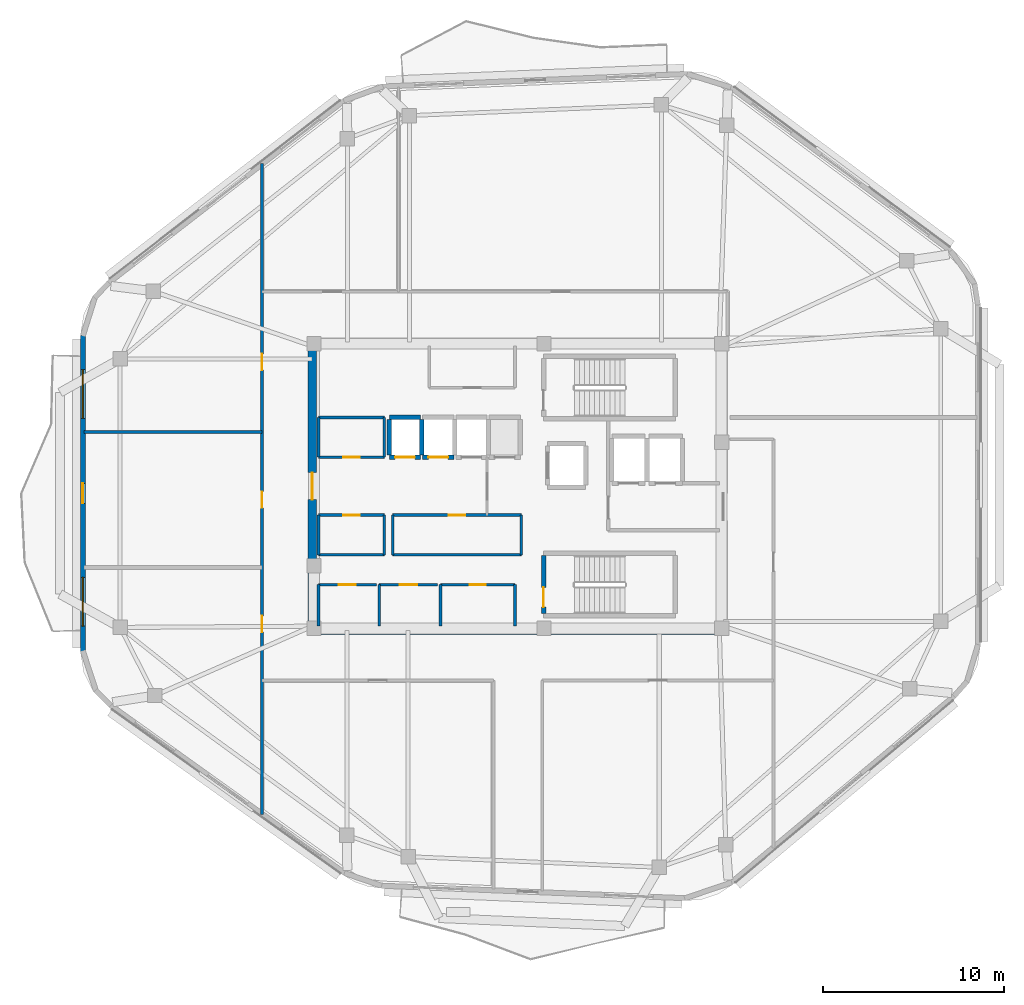
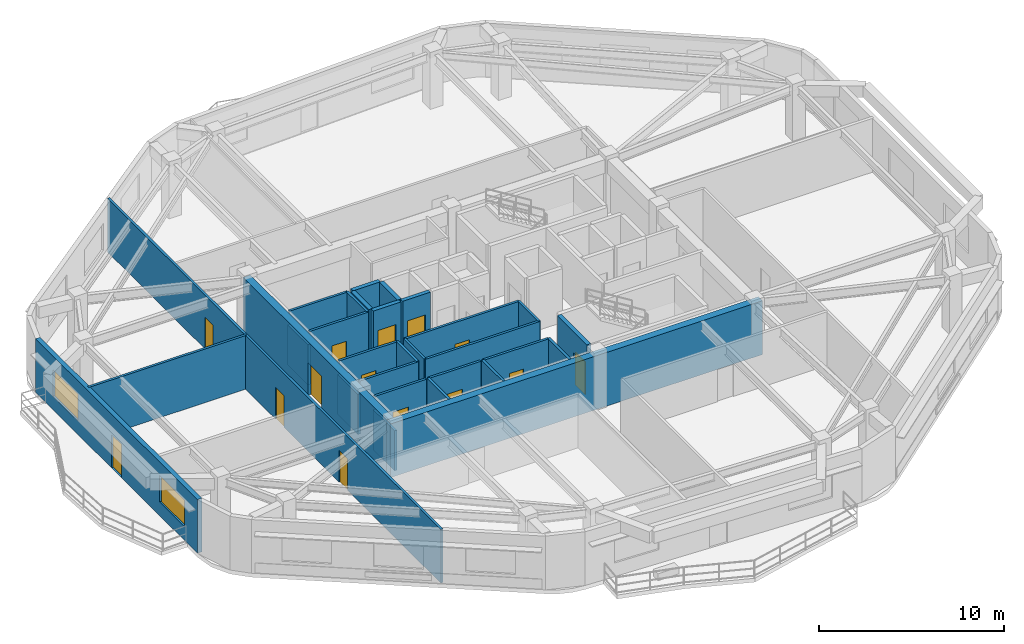
# One storey, part 3 of 10: 30 walls, 14 doors, 2 windows, 16 openings.
"""IFC4 building model written with IfcOpenShell, lengths in metres."""

from ifc_helpers import new_model, si_unit, direction, frame, frame_2d, origin, place, context, subcontext, project, spatial, rectangle, extrude, material, layer, layer_set, type_object, element, fill, save


model = new_model("IFC4")

# Units and contexts
model_context = context("Model", 3, precision=1e-05, world=origin(), true_north=direction((0.0, 1.0)))
body_context = subcontext(model_context, "Body", "Model", "MODEL_VIEW")
ifc_project = project(units=[si_unit("LENGTHUNIT", "METRE"), si_unit("AREAUNIT", "SQUARE_METRE"), si_unit("VOLUMEUNIT", "CUBIC_METRE"), si_unit("PLANEANGLEUNIT", "RADIAN"), si_unit("MASSUNIT", "GRAM", prefix="KILO")], contexts=[model_context])

# Site, building, storey
site_placement = place(None, origin())
site = spatial("IfcSite", under=ifc_project, at=site_placement, CompositionType="ELEMENT")
building_placement = place(site_placement, origin())
building = spatial("IfcBuilding", under=site, at=building_placement, Name="Zulverin Broadcast Headquarters", CompositionType="ELEMENT")
storey_placement = place(building_placement, frame((0.0, 0.0, 282.0)))
storey = spatial("IfcBuildingStorey", under=building, at=storey_placement, Name="L72", CompositionType="ELEMENT", Elevation=282.0)

# Wall
ifc_material_1 = material(Name="Concrete C50/60", Category="concrete")
ifc_layer_1 = layer(ifc_material_1, 0.449951171875, Name="Concrete C50/60", Category="concrete")
ifc_layer_set_1 = layer_set([ifc_layer_1], Name="Concrete C50/60")
wall_type_1 = type_object("IfcWallType", Name="WL-CORE-450", PredefinedType="SHEAR", material=ifc_layer_set_1)
wall_1_placement = place(storey_placement, frame((25.39990234375, 17.22509765625, 0.0), z_axis=(0.0, 0.0, 1.0), x_axis=(1.0, 0.0, 0.0)))
element("IfcWall", 1, at=wall_1_placement, inside=storey, type_object=wall_type_1, Name="L72 Core South Shear Wall", PredefinedType="SHEAR", context=body_context, shape_type="SweptSolid", body=[
    extrude(rectangle(XDim=23.2001953125, YDim=0.449951171875, at=frame_2d((11.60009765625, 0.0))), origin(), (0.0, 0.0, 1.0), 3.5400390625),
])

# Wall, opening, door
wall_2_placement = place(storey_placement, frame((25.625, 17.449951171875, 0.0), z_axis=(0.0, 0.0, 1.0), x_axis=(0.0, 1.0, 0.0)))
wall_2 = element("IfcWall", 2, at=wall_2_placement, inside=storey, type_object=wall_type_1, Name="L72 Core West Shear Wall", PredefinedType="SHEAR", context=body_context, shape_type="SweptSolid", body=[
    extrude(rectangle(XDim=15.5, YDim=0.449951171875, at=frame_2d((7.75, 0.0))), origin(), (0.0, 0.0, 1.0), 3.5400390625),
])
opening_1_placement = place(wall_2_placement, frame((7.0, 0.0, 0.0)))
opening_1 = element("IfcOpeningElement", 3, at=opening_1_placement, cuts=wall_2, Name="Opening D-L72-CW1", PredefinedType="OPENING", context=body_context, shape_type="SweptSolid", body=[
    extrude(rectangle(XDim=1.5, YDim=2.14990234375, at=frame_2d((0.75, 1.074951171875))), frame((0.0, 0.23486328125, 0.0), z_axis=(0.0, -1.0, 0.0), x_axis=(1.0, 0.0, 0.0)), (0.0, 0.0, 1.0), 0.469970703125),
])
ifc_material_2 = material(Name="Fire-rated glazed steel frame", Category="steel")
door_type_1 = type_object("IfcDoorType", Name="DR-COR-1500", OperationType="DOUBLE_DOOR_SINGLE_SWING", PredefinedType="DOOR", material=ifc_material_2)
door_1_placement = place(opening_1_placement, origin())
door_1 = element("IfcDoor", 4, at=door_1_placement, inside=storey, type_object=door_type_1, Name="L72 Central Lift Lobby West Portal Door", OperationType="DOUBLE_DOOR_SINGLE_SWING", OverallHeight=2.14990234375, OverallWidth=1.5, PredefinedType="DOOR", context=body_context, shape_type="SweptSolid", body=[
    extrude(rectangle(XDim=1.5, YDim=2.14990234375, at=frame_2d((0.75, 1.074951171875))), frame((0.0, 0.02490234375, 0.0), z_axis=(0.0, -1.0, 0.0), x_axis=(1.0, 0.0, 0.0)), (0.0, 0.0, 1.0), 0.050048828125),
])
fill(opening_1, door_1)

# Wall, openings, door, windows
ifc_material_3 = material(Name="Insulated pale-metal clad concrete spandrel C40/50", Category="concrete")
ifc_layer_2 = layer(ifc_material_3, 0.280029296875, Name="Insulated pale-metal clad concrete spandrel C40/50", Category="concrete")
ifc_layer_set_2 = layer_set([ifc_layer_2], Name="Insulated pale-metal clad concrete spandrel C40/50")
wall_type_2 = type_object("IfcWallType", Name="WL-EXT-280", PredefinedType="STANDARD", material=ifc_layer_set_2)
wall_3_placement = place(storey_placement, frame((12.93994140625, 33.548095703125, 0.0), z_axis=(0.0, 0.0, 1.0), x_axis=(0.0, -1.0, 0.0)))
wall_3 = element("IfcWall", 5, at=wall_3_placement, inside=storey, type_object=wall_type_2, Name="L72 Pale-Metal Clad Spandrel Wall 7", PredefinedType="STANDARD", context=body_context, shape_type="SweptSolid", body=[
    extrude(rectangle(XDim=17.496337890625, YDim=0.280029296875, at=frame_2d((8.748046875, 0.0))), origin(), (0.0, 0.0, 1.0), 3.5400390625),
])
opening_2_placement = place(wall_3_placement, frame((8.1982421875, 0.0, 0.0)))
opening_2 = element("IfcOpeningElement", 6, at=opening_2_placement, cuts=wall_3, Name="Opening D-L72-TR7", PredefinedType="OPENING", context=body_context, shape_type="SweptSolid", body=[
    extrude(rectangle(XDim=1.10009765625, YDim=2.199951171875, at=frame_2d((0.550048828125, 1.10009765625))), frame((0.0, 0.14990234375, 0.0), z_axis=(0.0, -1.0, 0.0), x_axis=(1.0, 0.0, 0.0)), (0.0, 0.0, 1.0), 0.300048828125),
])
opening_3_placement = place(wall_3_placement, frame((1.8994140625, 0.0, 0.89990234375)))
opening_3 = element("IfcOpeningElement", 7, at=opening_3_placement, cuts=wall_3, Name="Opening W-L72-E71", PredefinedType="OPENING", context=body_context, shape_type="SweptSolid", body=[
    extrude(rectangle(XDim=2.699951171875, YDim=1.75, at=frame_2d((1.35009765625, 0.875))), frame((0.0, 0.14990234375, 0.0), z_axis=(0.0, -1.0, 0.0), x_axis=(1.0, 0.0, 0.0)), (0.0, 0.0, 1.0), 0.300048828125),
])
opening_4_placement = place(wall_3_placement, frame((13.39697265625, 0.0, 0.89990234375)))
opening_4 = element("IfcOpeningElement", 8, at=opening_4_placement, cuts=wall_3, Name="Opening W-L72-E72", PredefinedType="OPENING", context=body_context, shape_type="SweptSolid", body=[
    extrude(rectangle(XDim=2.699951171875, YDim=1.75, at=frame_2d((1.35009765625, 0.875))), frame((0.0, 0.14990234375, 0.0), z_axis=(0.0, -1.0, 0.0), x_axis=(1.0, 0.0, 0.0)), (0.0, 0.0, 1.0), 0.300048828125),
])
ifc_material_4 = material(Name="Thermally broken aluminium glazed", Category="aluminium")
door_type_2 = type_object("IfcDoorType", Name="DR-TERR-1100", OperationType="SINGLE_SWING_RIGHT", PredefinedType="DOOR", material=ifc_material_4)
door_2_placement = place(opening_2_placement, origin())
door_2 = element("IfcDoor", 9, at=door_2_placement, inside=storey, type_object=door_type_2, Name="L72 Planted Terrace Glazed Access Door 7", OperationType="SINGLE_SWING_RIGHT", OverallHeight=2.199951171875, OverallWidth=1.10009765625, PredefinedType="DOOR", context=body_context, shape_type="SweptSolid", body=[
    extrude(rectangle(XDim=1.10009765625, YDim=2.199951171875, at=frame_2d((0.550048828125, 1.10009765625))), frame((0.0, 0.02490234375, 0.0), z_axis=(0.0, -1.0, 0.0), x_axis=(1.0, 0.0, 0.0)), (0.0, 0.0, 1.0), 0.050048828125),
])
fill(opening_2, door_2)
ifc_material_5 = material(Name="Pale anodized aluminium frame with solar-control low-E double glazing", Category="aluminium")
window_type = type_object("IfcWindowType", Name="WIN-TWR-2700", PartitioningType="SINGLE_PANEL", PredefinedType="WINDOW", material=ifc_material_5)
window_1_placement = place(opening_3_placement, origin())
window_1 = element("IfcWindow", 10, at=window_1_placement, inside=storey, type_object=window_type, Name="L72 Ribbon Glazing Window 7 1", OverallHeight=1.75, OverallWidth=2.699951171875, PartitioningType="SINGLE_PANEL", PredefinedType="WINDOW", context=body_context, shape_type="SweptSolid", body=[
    extrude(rectangle(XDim=2.699951171875, YDim=1.75, at=frame_2d((1.35009765625, 0.875))), frame((0.0, 0.030029296875, 0.0), z_axis=(0.0, -1.0, 0.0), x_axis=(1.0, 0.0, 0.0)), (0.0, 0.0, 1.0), 0.06005859375),
])
fill(opening_3, window_1)
window_2_placement = place(opening_4_placement, origin())
window_2 = element("IfcWindow", 11, at=window_2_placement, inside=storey, type_object=window_type, Name="L72 Ribbon Glazing Window 7 2", OverallHeight=1.75, OverallWidth=2.699951171875, PartitioningType="SINGLE_PANEL", PredefinedType="WINDOW", context=body_context, shape_type="SweptSolid", body=[
    extrude(rectangle(XDim=2.699951171875, YDim=1.75, at=frame_2d((1.35009765625, 0.875))), frame((0.0, 0.030029296875, 0.0), z_axis=(0.0, -1.0, 0.0), x_axis=(1.0, 0.0, 0.0)), (0.0, 0.0, 1.0), 0.06005859375),
])
fill(opening_4, window_2)

# Wall, opening, door
ifc_material_6 = material(Name="Fire-rated gypsum stud partition", Category="gypsum")
ifc_layer_3 = layer(ifc_material_6, 0.14990234375, Name="Fire-rated gypsum stud partition", Category="gypsum")
ifc_layer_set_3 = layer_set([ifc_layer_3], Name="Fire-rated gypsum stud partition")
wall_type_3 = type_object("IfcWallType", Name="WL-PART-150", PredefinedType="PARTITIONING", material=ifc_layer_set_3)
wall_4_placement = place(storey_placement, frame((25.969970703125, 19.75, 0.0), z_axis=(0.0, 0.0, 1.0), x_axis=(1.0, 0.0, 0.0)))
wall_4 = element("IfcWall", 12, at=wall_4_placement, inside=storey, type_object=wall_type_3, Name="L72 Core Male WC Front Wall", PredefinedType="PARTITIONING", context=body_context, shape_type="SweptSolid", body=[
    extrude(rectangle(XDim=3.199951171875, YDim=0.14990234375, at=frame_2d((1.60009765625, 0.0))), origin(), (0.0, 0.0, 1.0), 3.5400390625),
])
opening_5_placement = place(wall_4_placement, frame((1.125, 0.0, 0.0)))
opening_5 = element("IfcOpeningElement", 13, at=opening_5_placement, cuts=wall_4, Name="Opening D-L72-SC1", PredefinedType="OPENING", context=body_context, shape_type="SweptSolid", body=[
    extrude(rectangle(XDim=0.949951171875, YDim=2.10009765625, at=frame_2d((0.47509765625, 1.050048828125))), frame((0.0, 0.0849609375, 0.0), z_axis=(0.0, -1.0, 0.0), x_axis=(1.0, 0.0, 0.0)), (0.0, 0.0, 1.0), 0.169921875),
])
ifc_material_7 = material(Name="Fire-rated moisture-resistant laminate leaf", Category="wood")
door_type_3 = type_object("IfcDoorType", Name="DR-WC-950", OperationType="SINGLE_SWING_LEFT", PredefinedType="DOOR", material=ifc_material_7)
door_3_placement = place(opening_5_placement, origin())
door_3 = element("IfcDoor", 14, at=door_3_placement, inside=storey, type_object=door_type_3, Name="L72 Male WC Door", OperationType="SINGLE_SWING_RIGHT", OverallHeight=2.10009765625, OverallWidth=0.949951171875, PredefinedType="DOOR", context=body_context, shape_type="SweptSolid", body=[
    extrude(rectangle(XDim=0.949951171875, YDim=2.10009765625, at=frame_2d((0.47509765625, 1.050048828125))), frame((0.0, 0.02490234375, 0.0), z_axis=(0.0, -1.0, 0.0), x_axis=(1.0, 0.0, 0.0)), (0.0, 0.0, 1.0), 0.050048828125),
])
fill(opening_5, door_3)

# Wall
wall_5_placement = place(storey_placement, frame((25.969970703125, 17.449951171875, 0.0), z_axis=(0.0, 0.0, 1.0), x_axis=(0.0, 1.0, 0.0)))
element("IfcWall", 15, at=wall_5_placement, inside=storey, type_object=wall_type_3, Name="L72 Core Male WC West Wall", PredefinedType="PARTITIONING", context=body_context, shape_type="SweptSolid", body=[
    extrude(rectangle(XDim=2.300048828125, YDim=0.14990234375, at=frame_2d((1.14990234375, 0.0))), origin(), (0.0, 0.0, 1.0), 2.639892578125),
])

# Wall, opening, door
wall_6_placement = place(storey_placement, frame((29.330078125, 19.75, 0.0), z_axis=(0.0, 0.0, 1.0), x_axis=(1.0, 0.0, 0.0)))
wall_6 = element("IfcWall", 16, at=wall_6_placement, inside=storey, type_object=wall_type_3, Name="L72 Core Female WC Front Wall", PredefinedType="PARTITIONING", context=body_context, shape_type="SweptSolid", body=[
    extrude(rectangle(XDim=3.239990234375, YDim=0.14990234375, at=frame_2d((1.6201171875, 0.0))), origin(), (0.0, 0.0, 1.0), 3.5400390625),
])
opening_6_placement = place(wall_6_placement, frame((1.14501953125, 0.0, 0.0)))
opening_6 = element("IfcOpeningElement", 17, at=opening_6_placement, cuts=wall_6, Name="Opening D-L72-SC2", PredefinedType="OPENING", context=body_context, shape_type="SweptSolid", body=[
    extrude(rectangle(XDim=0.949951171875, YDim=2.10009765625, at=frame_2d((0.47509765625, 1.050048828125))), frame((0.0, 0.0849609375, 0.0), z_axis=(0.0, -1.0, 0.0), x_axis=(1.0, 0.0, 0.0)), (0.0, 0.0, 1.0), 0.169921875),
])
door_4_placement = place(opening_6_placement, origin())
door_4 = element("IfcDoor", 18, at=door_4_placement, inside=storey, type_object=door_type_3, Name="L72 Female WC Door", OperationType="SINGLE_SWING_LEFT", OverallHeight=2.10009765625, OverallWidth=0.949951171875, PredefinedType="DOOR", context=body_context, shape_type="SweptSolid", body=[
    extrude(rectangle(XDim=0.949951171875, YDim=2.10009765625, at=frame_2d((0.47509765625, 1.050048828125))), frame((0.0, 0.02490234375, 0.0), z_axis=(0.0, -1.0, 0.0), x_axis=(1.0, 0.0, 0.0)), (0.0, 0.0, 1.0), 0.050048828125),
])
fill(opening_6, door_4)

# Wall
wall_7_placement = place(storey_placement, frame((29.330078125, 17.449951171875, 0.0), z_axis=(0.0, 0.0, 1.0), x_axis=(0.0, 1.0, 0.0)))
element("IfcWall", 19, at=wall_7_placement, inside=storey, type_object=wall_type_3, Name="L72 Core Female WC West Wall", PredefinedType="PARTITIONING", context=body_context, shape_type="SweptSolid", body=[
    extrude(rectangle(XDim=2.300048828125, YDim=0.14990234375, at=frame_2d((1.14990234375, 0.0))), origin(), (0.0, 0.0, 1.0), 3.5400390625),
])

# Wall, opening, door
wall_8_placement = place(storey_placement, frame((32.72998046875, 19.75, 0.0), z_axis=(0.0, 0.0, 1.0), x_axis=(1.0, 0.0, 0.0)))
wall_8 = element("IfcWall", 20, at=wall_8_placement, inside=storey, type_object=wall_type_3, Name="L72 Core Cleaner Store Front Wall", PredefinedType="PARTITIONING", context=body_context, shape_type="SweptSolid", body=[
    extrude(rectangle(XDim=4.1201171875, YDim=0.14990234375, at=frame_2d((2.06005859375, 0.0))), origin(), (0.0, 0.0, 1.0), 3.5400390625),
])
opening_7_placement = place(wall_8_placement, frame((1.610107421875, 0.0, 0.0)))
opening_7 = element("IfcOpeningElement", 21, at=opening_7_placement, cuts=wall_8, Name="Opening D-L72-SC3", PredefinedType="OPENING", context=body_context, shape_type="SweptSolid", body=[
    extrude(rectangle(XDim=0.89990234375, YDim=2.10009765625, at=frame_2d((0.449951171875, 1.050048828125))), frame((0.0, 0.0849609375, 0.0), z_axis=(0.0, -1.0, 0.0), x_axis=(1.0, 0.0, 0.0)), (0.0, 0.0, 1.0), 0.169921875),
])
ifc_material_8 = material(Name="Powder-coated steel access leaf", Category="steel")
door_type_4 = type_object("IfcDoorType", Name="DR-RISER-900", OperationType="SINGLE_SWING_LEFT", PredefinedType="DOOR", material=ifc_material_8)
door_5_placement = place(opening_7_placement, origin())
door_5 = element("IfcDoor", 22, at=door_5_placement, inside=storey, type_object=door_type_4, Name="L72 Cleaner Store Door", OperationType="SINGLE_SWING_RIGHT", OverallHeight=2.10009765625, OverallWidth=0.89990234375, PredefinedType="DOOR", context=body_context, shape_type="SweptSolid", body=[
    extrude(rectangle(XDim=0.89990234375, YDim=2.10009765625, at=frame_2d((0.449951171875, 1.050048828125))), frame((0.0, 0.02490234375, 0.0), z_axis=(0.0, -1.0, 0.0), x_axis=(1.0, 0.0, 0.0)), (0.0, 0.0, 1.0), 0.050048828125),
])
fill(opening_7, door_5)

# Walls
for number, where, z_axis, x_axis, name in (
    (23, (32.72998046875, 17.449951171875, 0.0), (0.0, 0.0, 1.0), (0.0, 1.0, 0.0), "L72 Core Cleaner Store West Wall"),
    (24, (36.85009765625, 17.449951171875, 0.0), (0.0, 0.0, 1.0), (0.0, 1.0, 0.0), "L72 Core Cleaner Store East Wall"),
):
    element("IfcWall", number, at=place(storey_placement, frame(where, z_axis=z_axis, x_axis=x_axis)), inside=storey, type_object=wall_type_3, Name=name, PredefinedType="PARTITIONING", context=body_context, shape_type="SweptSolid", body=[
        extrude(rectangle(XDim=2.300048828125, YDim=0.14990234375, at=frame_2d((1.14990234375, 0.0))), origin(), (0.0, 0.0, 1.0), 3.5400390625),
    ])

# Wall, opening, door
wall_9_placement = place(storey_placement, frame((25.969970703125, 26.800048828125, 0.0), z_axis=(0.0, 0.0, 1.0), x_axis=(1.0, 0.0, 0.0)))
wall_9 = element("IfcWall", 25, at=wall_9_placement, inside=storey, type_object=wall_type_3, Name="L72 Broadcast Signal Patch Room S Wall", PredefinedType="PARTITIONING", context=body_context, shape_type="SweptSolid", body=[
    extrude(rectangle(XDim=3.650146484375, YDim=0.14990234375, at=frame_2d((1.8251953125, 0.0))), origin(), (0.0, 0.0, 1.0), 3.5400390625),
])
opening_8_placement = place(wall_9_placement, frame((1.375, 0.0, 0.0)))
opening_8 = element("IfcOpeningElement", 26, at=opening_8_placement, cuts=wall_9, Name="Opening D-L72-RCLN", PredefinedType="OPENING", context=body_context, shape_type="SweptSolid", body=[
    extrude(rectangle(XDim=0.89990234375, YDim=2.10009765625, at=frame_2d((0.449951171875, 1.050048828125))), frame((0.0, 0.0849609375, 0.0), z_axis=(0.0, -1.0, 0.0), x_axis=(1.0, 0.0, 0.0)), (0.0, 0.0, 1.0), 0.169921875),
])
door_6_placement = place(opening_8_placement, origin())
door_6 = element("IfcDoor", 27, at=door_6_placement, inside=storey, type_object=door_type_4, Name="L72 Broadcast Signal Patch Room Door", OperationType="SINGLE_SWING_LEFT", OverallHeight=2.10009765625, OverallWidth=0.89990234375, PredefinedType="DOOR", context=body_context, shape_type="SweptSolid", body=[
    extrude(rectangle(XDim=0.89990234375, YDim=2.10009765625, at=frame_2d((0.449951171875, 1.050048828125))), frame((0.0, 0.02490234375, 0.0), z_axis=(0.0, -1.0, 0.0), x_axis=(1.0, 0.0, 0.0)), (0.0, 0.0, 1.0), 0.050048828125),
])
fill(opening_8, door_6)

# Walls
wall_10_placement = place(storey_placement, frame((25.969970703125, 29.0, 0.0), z_axis=(0.0, 0.0, 1.0), x_axis=(1.0, 0.0, 0.0)))
element("IfcWall", 28, at=wall_10_placement, inside=storey, type_object=wall_type_3, Name="L72 Broadcast Signal Patch Room N Wall", PredefinedType="PARTITIONING", context=body_context, shape_type="SweptSolid", body=[
    extrude(rectangle(XDim=3.650146484375, YDim=0.14990234375, at=frame_2d((1.8251953125, 0.0))), origin(), (0.0, 0.0, 1.0), 3.5400390625),
])
wall_11_placement = place(storey_placement, frame((25.969970703125, 26.800048828125, 0.0), z_axis=(0.0, 0.0, 1.0), x_axis=(0.0, 1.0, 0.0)))
element("IfcWall", 29, at=wall_11_placement, inside=storey, type_object=wall_type_3, Name="L72 Broadcast Signal Patch Room W Wall", PredefinedType="PARTITIONING", context=body_context, shape_type="SweptSolid", body=[
    extrude(rectangle(XDim=2.199951171875, YDim=0.14990234375, at=frame_2d((1.10009765625, 0.0))), origin(), (0.0, 0.0, 1.0), 2.639892578125),
])
wall_12_placement = place(storey_placement, frame((29.6201171875, 26.800048828125, 0.0), z_axis=(0.0, 0.0, 1.0), x_axis=(0.0, 1.0, 0.0)))
element("IfcWall", 30, at=wall_12_placement, inside=storey, type_object=wall_type_3, Name="L72 Broadcast Signal Patch Room E Wall", PredefinedType="PARTITIONING", context=body_context, shape_type="SweptSolid", body=[
    extrude(rectangle(XDim=2.199951171875, YDim=0.14990234375, at=frame_2d((1.10009765625, 0.0))), origin(), (0.0, 0.0, 1.0), 3.5400390625),
])
wall_13_placement = place(storey_placement, frame((25.969970703125, 21.39990234375, 0.0), z_axis=(0.0, 0.0, 1.0), x_axis=(1.0, 0.0, 0.0)))
element("IfcWall", 31, at=wall_13_placement, inside=storey, type_object=wall_type_3, Name="L72 Housekeeping Equipment Store S Wall", PredefinedType="PARTITIONING", context=body_context, shape_type="SweptSolid", body=[
    extrude(rectangle(XDim=3.650146484375, YDim=0.14990234375, at=frame_2d((1.8251953125, 0.0))), origin(), (0.0, 0.0, 1.0), 3.5400390625),
])

# Wall, opening, door
wall_14_placement = place(storey_placement, frame((25.969970703125, 23.60009765625, 0.0), z_axis=(0.0, 0.0, 1.0), x_axis=(1.0, 0.0, 0.0)))
wall_14 = element("IfcWall", 32, at=wall_14_placement, inside=storey, type_object=wall_type_3, Name="L72 Housekeeping Equipment Store N Wall", PredefinedType="PARTITIONING", context=body_context, shape_type="SweptSolid", body=[
    extrude(rectangle(XDim=3.650146484375, YDim=0.14990234375, at=frame_2d((1.8251953125, 0.0))), origin(), (0.0, 0.0, 1.0), 3.5400390625),
])
opening_9_placement = place(wall_14_placement, frame((1.375, 0.0, 0.0)))
opening_9 = element("IfcOpeningElement", 33, at=opening_9_placement, cuts=wall_14, Name="Opening D-L72-RCLS", PredefinedType="OPENING", context=body_context, shape_type="SweptSolid", body=[
    extrude(rectangle(XDim=0.89990234375, YDim=2.10009765625, at=frame_2d((0.449951171875, 1.050048828125))), frame((0.0, 0.0849609375, 0.0), z_axis=(0.0, -1.0, 0.0), x_axis=(1.0, 0.0, 0.0)), (0.0, 0.0, 1.0), 0.169921875),
])
door_7_placement = place(opening_9_placement, origin())
door_7 = element("IfcDoor", 34, at=door_7_placement, inside=storey, type_object=door_type_4, Name="L72 Housekeeping Equipment Store Door", OperationType="SINGLE_SWING_RIGHT", OverallHeight=2.10009765625, OverallWidth=0.89990234375, PredefinedType="DOOR", context=body_context, shape_type="SweptSolid", body=[
    extrude(rectangle(XDim=0.89990234375, YDim=2.10009765625, at=frame_2d((0.449951171875, 1.050048828125))), frame((0.0, 0.02490234375, 0.0), z_axis=(0.0, -1.0, 0.0), x_axis=(1.0, 0.0, 0.0)), (0.0, 0.0, 1.0), 0.050048828125),
])
fill(opening_9, door_7)

# Walls
wall_15_placement = place(storey_placement, frame((25.969970703125, 21.39990234375, 0.0), z_axis=(0.0, 0.0, 1.0), x_axis=(0.0, 1.0, 0.0)))
element("IfcWall", 35, at=wall_15_placement, inside=storey, type_object=wall_type_3, Name="L72 Housekeeping Equipment Store W Wall", PredefinedType="PARTITIONING", context=body_context, shape_type="SweptSolid", body=[
    extrude(rectangle(XDim=2.2001953125, YDim=0.14990234375, at=frame_2d((1.10009765625, 0.0))), origin(), (0.0, 0.0, 1.0), 2.639892578125),
])
wall_16_placement = place(storey_placement, frame((29.6201171875, 21.39990234375, 0.0), z_axis=(0.0, 0.0, 1.0), x_axis=(0.0, 1.0, 0.0)))
element("IfcWall", 36, at=wall_16_placement, inside=storey, type_object=wall_type_3, Name="L72 Housekeeping Equipment Store E Wall", PredefinedType="PARTITIONING", context=body_context, shape_type="SweptSolid", body=[
    extrude(rectangle(XDim=2.2001953125, YDim=0.14990234375, at=frame_2d((1.10009765625, 0.0))), origin(), (0.0, 0.0, 1.0), 3.5400390625),
])
wall_17_placement = place(storey_placement, frame((30.080078125, 21.39990234375, 0.0), z_axis=(0.0, 0.0, 1.0), x_axis=(1.0, 0.0, 0.0)))
element("IfcWall", 37, at=wall_17_placement, inside=storey, type_object=wall_type_3, Name="L72 Optical Telemetry Hub Room S Wall", PredefinedType="PARTITIONING", context=body_context, shape_type="SweptSolid", body=[
    extrude(rectangle(XDim=7.119873046875, YDim=0.14990234375, at=frame_2d((3.56005859375, 0.0))), origin(), (0.0, 0.0, 1.0), 3.5400390625),
])

# Wall, opening, door
wall_18_placement = place(storey_placement, frame((30.080078125, 23.60009765625, 0.0), z_axis=(0.0, 0.0, 1.0), x_axis=(1.0, 0.0, 0.0)))
wall_18 = element("IfcWall", 38, at=wall_18_placement, inside=storey, type_object=wall_type_3, Name="L72 Optical Telemetry Hub Room N Wall", PredefinedType="PARTITIONING", context=body_context, shape_type="SweptSolid", body=[
    extrude(rectangle(XDim=7.119873046875, YDim=0.14990234375, at=frame_2d((3.56005859375, 0.0))), origin(), (0.0, 0.0, 1.0), 3.5400390625),
])
opening_10_placement = place(wall_18_placement, frame((3.110107421875, 0.0, 0.0)))
opening_10 = element("IfcOpeningElement", 39, at=opening_10_placement, cuts=wall_18, Name="Opening D-L72-RM1", PredefinedType="OPENING", context=body_context, shape_type="SweptSolid", body=[
    extrude(rectangle(XDim=0.89990234375, YDim=2.10009765625, at=frame_2d((0.449951171875, 1.050048828125))), frame((0.0, 0.0849609375, 0.0), z_axis=(0.0, -1.0, 0.0), x_axis=(1.0, 0.0, 0.0)), (0.0, 0.0, 1.0), 0.169921875),
])
door_8_placement = place(opening_10_placement, origin())
door_8 = element("IfcDoor", 40, at=door_8_placement, inside=storey, type_object=door_type_4, Name="L72 Optical Telemetry Hub Room Door", OperationType="SINGLE_SWING_LEFT", OverallHeight=2.10009765625, OverallWidth=0.89990234375, PredefinedType="DOOR", context=body_context, shape_type="SweptSolid", body=[
    extrude(rectangle(XDim=0.89990234375, YDim=2.10009765625, at=frame_2d((0.449951171875, 1.050048828125))), frame((0.0, 0.02490234375, 0.0), z_axis=(0.0, -1.0, 0.0), x_axis=(1.0, 0.0, 0.0)), (0.0, 0.0, 1.0), 0.050048828125),
])
fill(opening_10, door_8)

# Walls
for number, where, z_axis, x_axis, name in (
    (41, (30.080078125, 21.39990234375, 0.0), (0.0, 0.0, 1.0), (0.0, 1.0, 0.0), "L72 Optical Telemetry Hub Room W Wall"),
    (42, (37.199951171875, 21.39990234375, 0.0), (0.0, 0.0, 1.0), (0.0, 1.0, 0.0), "L72 Optical Telemetry Hub Room E Wall"),
):
    element("IfcWall", number, at=place(storey_placement, frame(where, z_axis=z_axis, x_axis=x_axis)), inside=storey, type_object=wall_type_3, Name=name, PredefinedType="PARTITIONING", context=body_context, shape_type="SweptSolid", body=[
        extrude(rectangle(XDim=2.2001953125, YDim=0.14990234375, at=frame_2d((1.10009765625, 0.0))), origin(), (0.0, 0.0, 1.0), 3.5400390625),
    ])

# Wall, openings, doors
wall_19_placement = place(storey_placement, frame((22.85009765625, 7.037353515625, 0.0), z_axis=(0.0, 0.0, 1.0), x_axis=(0.0, 1.0, 0.0)))
wall_19 = element("IfcWall", 43, at=wall_19_placement, inside=storey, type_object=wall_type_3, Name="L72 Gallery Partition Wall CG-06", PredefinedType="PARTITIONING", context=body_context, shape_type="SweptSolid", body=[
    extrude(rectangle(XDim=36.013427734375, YDim=0.14990234375, at=frame_2d((18.0068359375, 0.0))), origin(), (0.0, 0.0, 1.0), 3.5400390625),
])
opening_11_placement = place(wall_19_placement, frame((10.087646484375, 0.0, 0.0)))
opening_11 = element("IfcOpeningElement", 44, at=opening_11_placement, cuts=wall_19, Name="Opening D-L72-05", PredefinedType="OPENING", context=body_context, shape_type="SweptSolid", body=[
    extrude(rectangle(XDim=0.89990234375, YDim=2.10009765625, at=frame_2d((0.449951171875, 1.050048828125))), frame((0.0, 0.0849609375, 0.0), z_axis=(0.0, -1.0, 0.0), x_axis=(1.0, 0.0, 0.0)), (0.0, 0.0, 1.0), 0.169921875),
])
opening_12_placement = place(wall_19_placement, frame((16.962646484375, 0.0, 0.0)))
opening_12 = element("IfcOpeningElement", 45, at=opening_12_placement, cuts=wall_19, Name="Opening D-L72-06", PredefinedType="OPENING", context=body_context, shape_type="SweptSolid", body=[
    extrude(rectangle(XDim=0.89990234375, YDim=2.10009765625, at=frame_2d((0.449951171875, 1.050048828125))), frame((0.0, 0.0849609375, 0.0), z_axis=(0.0, -1.0, 0.0), x_axis=(1.0, 0.0, 0.0)), (0.0, 0.0, 1.0), 0.169921875),
])
opening_13_placement = place(wall_19_placement, frame((24.587646484375, 0.0, 0.0)))
opening_13 = element("IfcOpeningElement", 46, at=opening_13_placement, cuts=wall_19, Name="Opening D-L72-07", PredefinedType="OPENING", context=body_context, shape_type="SweptSolid", body=[
    extrude(rectangle(XDim=0.89990234375, YDim=2.10009765625, at=frame_2d((0.449951171875, 1.050048828125))), frame((0.0, 0.0849609375, 0.0), z_axis=(0.0, -1.0, 0.0), x_axis=(1.0, 0.0, 0.0)), (0.0, 0.0, 1.0), 0.169921875),
])
ifc_material_9 = material(Name="Fire-rated hardwood veneer timber leaf", Category="wood")
door_type_5 = type_object("IfcDoorType", Name="DR-ROOM-900", OperationType="SINGLE_SWING_RIGHT", PredefinedType="DOOR", material=ifc_material_9)
door_9_placement = place(opening_11_placement, origin())
door_9 = element("IfcDoor", 47, at=door_9_placement, inside=storey, type_object=door_type_5, Name="L72 Executive Boardroom Door", OperationType="SINGLE_SWING_LEFT", OverallHeight=2.10009765625, OverallWidth=0.89990234375, PredefinedType="DOOR", context=body_context, shape_type="SweptSolid", body=[
    extrude(rectangle(XDim=0.89990234375, YDim=2.10009765625, at=frame_2d((0.449951171875, 1.050048828125))), frame((0.0, 0.02490234375, 0.0), z_axis=(0.0, -1.0, 0.0), x_axis=(1.0, 0.0, 0.0)), (0.0, 0.0, 1.0), 0.050048828125),
])
fill(opening_11, door_9)
door_10_placement = place(opening_12_placement, origin())
door_10 = element("IfcDoor", 48, at=door_10_placement, inside=storey, type_object=door_type_5, Name="L72 Briefing Room Door", OperationType="SINGLE_SWING_RIGHT", OverallHeight=2.10009765625, OverallWidth=0.89990234375, PredefinedType="DOOR", context=body_context, shape_type="SweptSolid", body=[
    extrude(rectangle(XDim=0.89990234375, YDim=2.10009765625, at=frame_2d((0.449951171875, 1.050048828125))), frame((0.0, 0.02490234375, 0.0), z_axis=(0.0, -1.0, 0.0), x_axis=(1.0, 0.0, 0.0)), (0.0, 0.0, 1.0), 0.050048828125),
])
fill(opening_12, door_10)
door_11_placement = place(opening_13_placement, origin())
door_11 = element("IfcDoor", 49, at=door_11_placement, inside=storey, type_object=door_type_5, Name="L72 Tea Pantry Door", OperationType="SINGLE_SWING_LEFT", OverallHeight=2.10009765625, OverallWidth=0.89990234375, PredefinedType="DOOR", context=body_context, shape_type="SweptSolid", body=[
    extrude(rectangle(XDim=0.89990234375, YDim=2.10009765625, at=frame_2d((0.449951171875, 1.050048828125))), frame((0.0, 0.02490234375, 0.0), z_axis=(0.0, -1.0, 0.0), x_axis=(1.0, 0.0, 0.0)), (0.0, 0.0, 1.0), 0.050048828125),
])
fill(opening_13, door_11)

# Wall
wall_20_placement = place(storey_placement, frame((13.0048828125, 28.199951171875, 0.0), z_axis=(0.0, 0.0, 1.0), x_axis=(1.0, 0.0, 0.0)))
element("IfcWall", 50, at=wall_20_placement, inside=storey, type_object=wall_type_3, Name="L72 Room Partition Wall RP-11", PredefinedType="PARTITIONING", context=body_context, shape_type="SweptSolid", body=[
    extrude(rectangle(XDim=9.84521484375, YDim=0.14990234375, at=frame_2d((4.922607421875, 0.0))), origin(), (0.0, 0.0, 1.0), 3.5400390625),
])

# Wall, opening, door
ifc_layer_4 = layer(ifc_material_1, 0.25, Name="Concrete C50/60", Category="concrete")
ifc_layer_set_4 = layer_set([ifc_layer_4], Name="Concrete C50/60")
wall_type_4 = type_object("IfcWallType", Name="WL-SHAFT-250", PredefinedType="SHEAR", material=ifc_layer_set_4)
wall_21_placement = place(storey_placement, frame((38.425048828125, 18.14990234375, 0.0), z_axis=(0.0, 0.0, 1.0), x_axis=(0.0, 1.0, 0.0)))
wall_21 = element("IfcWall", 51, at=wall_21_placement, inside=storey, type_object=wall_type_4, Name="L72 ST-2 Enclosure Wall W", PredefinedType="SHEAR", context=body_context, shape_type="SweptSolid", body=[
    extrude(rectangle(XDim=3.2001953125, YDim=0.25, at=frame_2d((1.60009765625, 0.0))), origin(), (0.0, 0.0, 1.0), 3.5400390625),
])
opening_14_placement = place(wall_21_placement, frame((0.35009765625, 0.0, 0.0)))
opening_14 = element("IfcOpeningElement", 52, at=opening_14_placement, cuts=wall_21, Name="Opening D-L72-ST-2", PredefinedType="OPENING", context=body_context, shape_type="SweptSolid", body=[
    extrude(rectangle(XDim=1.10009765625, YDim=2.14990234375, at=frame_2d((0.550048828125, 1.074951171875))), frame((0.0, 0.135009765625, 0.0), z_axis=(0.0, -1.0, 0.0), x_axis=(1.0, 0.0, 0.0)), (0.0, 0.0, 1.0), 0.27001953125),
])
ifc_material_10 = material(Name="Fire-rated steel leaf and frame", Category="steel")
door_type_6 = type_object("IfcDoorType", Name="DR-STAIR-1100", OperationType="SINGLE_SWING_LEFT", PredefinedType="DOOR", material=ifc_material_10)
door_12_placement = place(opening_14_placement, origin())
door_12 = element("IfcDoor", 53, at=door_12_placement, inside=storey, type_object=door_type_6, Name="L72 Exit Stair ST-2 Fire Door", OperationType="SINGLE_SWING_RIGHT", OverallHeight=2.14990234375, OverallWidth=1.10009765625, PredefinedType="DOOR", context=body_context, shape_type="SweptSolid", body=[
    extrude(rectangle(XDim=1.10009765625, YDim=2.14990234375, at=frame_2d((0.550048828125, 1.074951171875))), frame((0.0, 0.02490234375, 0.0), z_axis=(0.0, -1.0, 0.0), x_axis=(1.0, 0.0, 0.0)), (0.0, 0.0, 1.0), 0.050048828125),
])
fill(opening_14, door_12)

wall_22_placement = place(storey_placement, frame((29.89990234375, 26.800048828125, 0.0), z_axis=(0.0, 0.0, 1.0), x_axis=(1.0, 0.0, 0.0)))
wall_22 = element("IfcWall", 54, at=wall_22_placement, inside=storey, type_object=wall_type_4, Name="L72 Lift PL-H1 Shaft Wall S", PredefinedType="SHEAR", context=body_context, shape_type="SweptSolid", body=[
    extrude(rectangle(XDim=1.72021484375, YDim=0.25, at=frame_2d((0.860107421875, 0.0))), origin(), (0.0, 0.0, 1.0), 3.5400390625),
])
opening_15_placement = place(wall_22_placement, frame((0.31005859375, 0.0, 0.0)))
opening_15 = element("IfcOpeningElement", 55, at=opening_15_placement, cuts=wall_22, Name="Opening LD-PL-H1-L72", PredefinedType="OPENING", context=body_context, shape_type="SweptSolid", body=[
    extrude(rectangle(XDim=1.10009765625, YDim=2.14990234375, at=frame_2d((0.550048828125, 1.074951171875))), frame((0.0, 0.135009765625, 0.0), z_axis=(0.0, -1.0, 0.0), x_axis=(1.0, 0.0, 0.0)), (0.0, 0.0, 1.0), 0.27001953125),
])
ifc_material_11 = material(Name="Brushed stainless steel landing", Category="steel")
door_type_7 = type_object("IfcDoorType", Name="LD-PASS-1100", OperationType="DOUBLE_DOOR_SLIDING", PredefinedType="DOOR", material=ifc_material_11)
door_13_placement = place(opening_15_placement, origin())
door_13 = element("IfcDoor", 56, at=door_13_placement, inside=storey, type_object=door_type_7, Name="L72 Lift PL-H1 Sliding Landing Door", OperationType="DOUBLE_DOOR_SLIDING", OverallHeight=2.14990234375, OverallWidth=1.10009765625, PredefinedType="DOOR", context=body_context, shape_type="SweptSolid", body=[
    extrude(rectangle(XDim=1.10009765625, YDim=2.14990234375, at=frame_2d((0.550048828125, 1.074951171875))), frame((0.0, 0.02490234375, 0.0), z_axis=(0.0, -1.0, 0.0), x_axis=(1.0, 0.0, 0.0)), (0.0, 0.0, 1.0), 0.050048828125),
])
fill(opening_15, door_13)

# Walls
wall_23_placement = place(storey_placement, frame((29.89990234375, 29.0, 0.0), z_axis=(0.0, 0.0, 1.0), x_axis=(1.0, 0.0, 0.0)))
element("IfcWall", 57, at=wall_23_placement, inside=storey, type_object=wall_type_4, Name="L72 Lift PL-H1 Shaft Wall N", PredefinedType="SHEAR", context=body_context, shape_type="SweptSolid", body=[
    extrude(rectangle(XDim=1.72021484375, YDim=0.25, at=frame_2d((0.860107421875, 0.0))), origin(), (0.0, 0.0, 1.0), 3.5400390625),
])
for number, where, z_axis, x_axis, name in (
    (58, (29.89990234375, 26.919921875, 0.0), (0.0, 0.0, 1.0), (0.0, 1.0, 0.0), "L72 Lift PL-H1 Shaft Wall W"),
    (59, (31.679931640625, 26.919921875, 0.0), (0.0, 0.0, 1.0), (0.0, 1.0, 0.0), "L72 Lift PL-H1 Shaft Wall E"),
):
    element("IfcWall", number, at=place(storey_placement, frame(where, z_axis=z_axis, x_axis=x_axis)), inside=storey, type_object=wall_type_4, Name=name, PredefinedType="SHEAR", context=body_context, shape_type="SweptSolid", body=[
        extrude(rectangle(XDim=1.9599609375, YDim=0.25, at=frame_2d((0.97998046875, 0.0))), origin(), (0.0, 0.0, 1.0), 3.5400390625),
    ])

# Wall, opening, door
wall_24_placement = place(storey_placement, frame((31.739990234375, 26.800048828125, 0.0), z_axis=(0.0, 0.0, 1.0), x_axis=(1.0, 0.0, 0.0)))
wall_24 = element("IfcWall", 60, at=wall_24_placement, inside=storey, type_object=wall_type_4, Name="L72 Lift PL-H2 Shaft Wall S", PredefinedType="SHEAR", context=body_context, shape_type="SweptSolid", body=[
    extrude(rectangle(XDim=1.719970703125, YDim=0.25, at=frame_2d((0.85986328125, 0.0))), origin(), (0.0, 0.0, 1.0), 3.5400390625),
])
opening_16_placement = place(wall_24_placement, frame((0.31005859375, 0.0, 0.0)))
opening_16 = element("IfcOpeningElement", 61, at=opening_16_placement, cuts=wall_24, Name="Opening LD-PL-H2-L72", PredefinedType="OPENING", context=body_context, shape_type="SweptSolid", body=[
    extrude(rectangle(XDim=1.10009765625, YDim=2.14990234375, at=frame_2d((0.550048828125, 1.074951171875))), frame((0.0, 0.135009765625, 0.0), z_axis=(0.0, -1.0, 0.0), x_axis=(1.0, 0.0, 0.0)), (0.0, 0.0, 1.0), 0.27001953125),
])
door_14_placement = place(opening_16_placement, origin())
door_14 = element("IfcDoor", 62, at=door_14_placement, inside=storey, type_object=door_type_7, Name="L72 Lift PL-H2 Sliding Landing Door", OperationType="DOUBLE_DOOR_SLIDING", OverallHeight=2.14990234375, OverallWidth=1.10009765625, PredefinedType="DOOR", context=body_context, shape_type="SweptSolid", body=[
    extrude(rectangle(XDim=1.10009765625, YDim=2.14990234375, at=frame_2d((0.550048828125, 1.074951171875))), frame((0.0, 0.02490234375, 0.0), z_axis=(0.0, -1.0, 0.0), x_axis=(1.0, 0.0, 0.0)), (0.0, 0.0, 1.0), 0.050048828125),
])
fill(opening_16, door_14)

save(model, "model.ifc")
